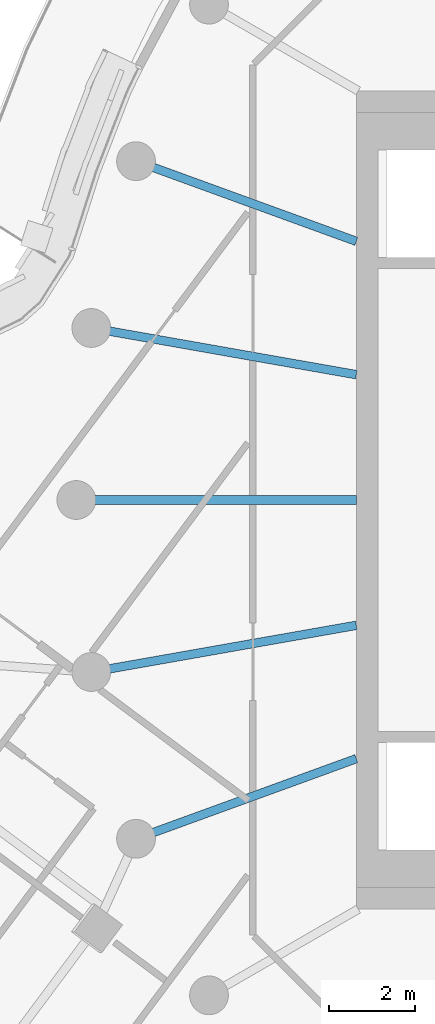
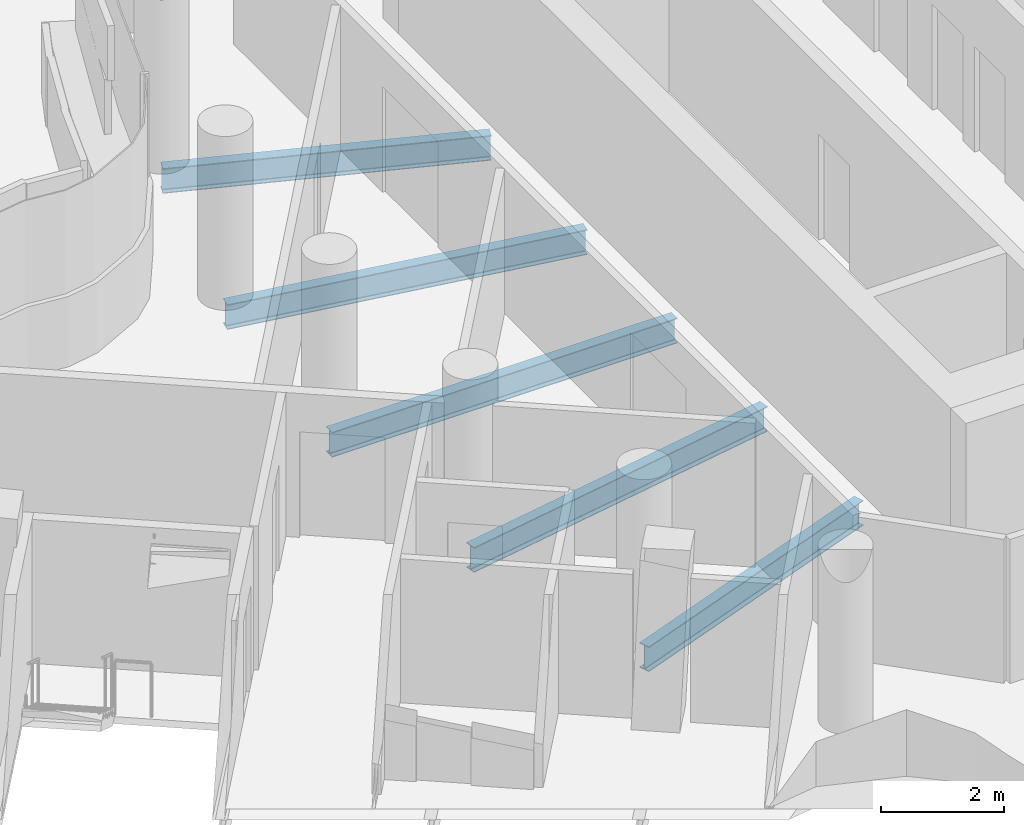
# One storey, part 5 of 27: 5 beams.
"""IFC4 building model written with IfcOpenShell, lengths in metres."""

from ifc_helpers import new_model, si_unit, direction, frame, origin, origin_2d, place, context, subcontext, project, spatial, i_section, extrude, material, material_profile, profile_set, type_object, element, save


model = new_model("IFC4")

# Units and contexts
model_context = context("Model", 3, precision=1e-05, world=origin(), true_north=direction((0.0, 1.0)))
body_context = subcontext(model_context, "Body", "Model", "MODEL_VIEW")
ifc_project = project(units=[si_unit("LENGTHUNIT", "METRE"), si_unit("AREAUNIT", "SQUARE_METRE"), si_unit("VOLUMEUNIT", "CUBIC_METRE"), si_unit("PLANEANGLEUNIT", "RADIAN"), si_unit("MASSUNIT", "GRAM", prefix="KILO")], contexts=[model_context])

# Site, building, storey
site_placement = place(None, origin())
site = spatial("IfcSite", under=ifc_project, at=site_placement, CompositionType="ELEMENT")
building_placement = place(site_placement, origin())
building = spatial("IfcBuilding", under=site, at=building_placement, Name="Tamarind Cross Interchange Tower", CompositionType="ELEMENT")
storey_placement = place(building_placement, frame((0.0, 0.0, 227.10009765625)))
storey = spatial("IfcBuildingStorey", under=building, at=storey_placement, Name="L57", CompositionType="ELEMENT", Elevation=227.10009765625)

# Beams
ifc_material = material(Name="Steel Q355B", Category="steel")
ifc_material_profile = material_profile(ifc_material, i_section(OverallWidth=0.198974609375, OverallDepth=0.49609375, WebThickness=0.009033203125, FlangeThickness=0.013916015625, FilletRadius=0.012939453125, at=origin_2d()), Name="HN 496x199x9x14")
ifc_profile_set = profile_set([ifc_material_profile], Name="Steel Q355B")
beam_type = type_object("IfcBeamType", Name="Composite beam HN 496x199x9x14 Q355B", PredefinedType="BEAM", material=ifc_profile_set)
beam_1_placement = place(storey_placement, frame((-21.613037109375, 7.866455078125, -0.38818359375), z_axis=(0.939701685589, -0.341995236956, 0.0), x_axis=(0.341995236956, 0.939701685589, 0.0)))
element("IfcBeam", 1, at=beam_1_placement, inside=storey, type_object=beam_type, Name="Beam HH16", PredefinedType="BEAM", context=body_context, shape_type="SweptSolid", body=[
    extrude(i_section(OverallWidth=0.198974609375, OverallDepth=0.49609375, WebThickness=0.009033203125, FlangeThickness=0.013916015625, FilletRadius=0.012939453125, at=origin_2d()), origin(), (0.0, 0.0, 1.0), 5.441162109375),
])
beam_2_placement = place(storey_placement, frame((-22.650634765625, 3.993896484375, -0.38818359375), z_axis=(0.984809127561, -0.173640382036, 0.0), x_axis=(0.173640382036, 0.984809127561, 0.0)))
element("IfcBeam", 2, at=beam_2_placement, inside=storey, type_object=beam_type, Name="Beam HH17", PredefinedType="BEAM", context=body_context, shape_type="SweptSolid", body=[
    extrude(i_section(OverallWidth=0.198974609375, OverallDepth=0.49609375, WebThickness=0.009033203125, FlangeThickness=0.013916015625, FilletRadius=0.012939453125, at=origin_2d()), origin(), (0.0, 0.0, 1.0), 6.24560546875),
])
beam_3_placement = place(storey_placement, frame((-23.0, 0.0, -0.38818359375), z_axis=(1.0, 0.0, 0.0), x_axis=(0.0, 1.0, 0.0)))
element("IfcBeam", 3, at=beam_3_placement, inside=storey, type_object=beam_type, Name="Beam HH18", PredefinedType="BEAM", context=body_context, shape_type="SweptSolid", body=[
    extrude(i_section(OverallWidth=0.198974609375, OverallDepth=0.49609375, WebThickness=0.009033203125, FlangeThickness=0.013916015625, FilletRadius=0.012939453125, at=origin_2d()), origin(), (0.0, 0.0, 1.0), 6.5),
])
beam_4_placement = place(storey_placement, frame((-22.650634765625, -3.993896484375, -0.38818359375), z_axis=(0.984809127561, 0.173640382036, 0.0), x_axis=(-0.173640382036, 0.984809127561, 0.0)))
element("IfcBeam", 4, at=beam_4_placement, inside=storey, type_object=beam_type, Name="Beam HH19", PredefinedType="BEAM", context=body_context, shape_type="SweptSolid", body=[
    extrude(i_section(OverallWidth=0.198974609375, OverallDepth=0.49609375, WebThickness=0.009033203125, FlangeThickness=0.013916015625, FilletRadius=0.012939453125, at=origin_2d()), origin(), (0.0, 0.0, 1.0), 6.24560546875),
])
beam_5_placement = place(storey_placement, frame((-21.613037109375, -7.866455078125, -0.38818359375), z_axis=(0.939701685589, 0.341995236956, 0.0), x_axis=(-0.341995236956, 0.939701685589, 0.0)))
element("IfcBeam", 5, at=beam_5_placement, inside=storey, type_object=beam_type, Name="Beam HH20", PredefinedType="BEAM", context=body_context, shape_type="SweptSolid", body=[
    extrude(i_section(OverallWidth=0.198974609375, OverallDepth=0.49609375, WebThickness=0.009033203125, FlangeThickness=0.013916015625, FilletRadius=0.012939453125, at=origin_2d()), origin(), (0.0, 0.0, 1.0), 5.441162109375),
])

save(model, "model.ifc")
